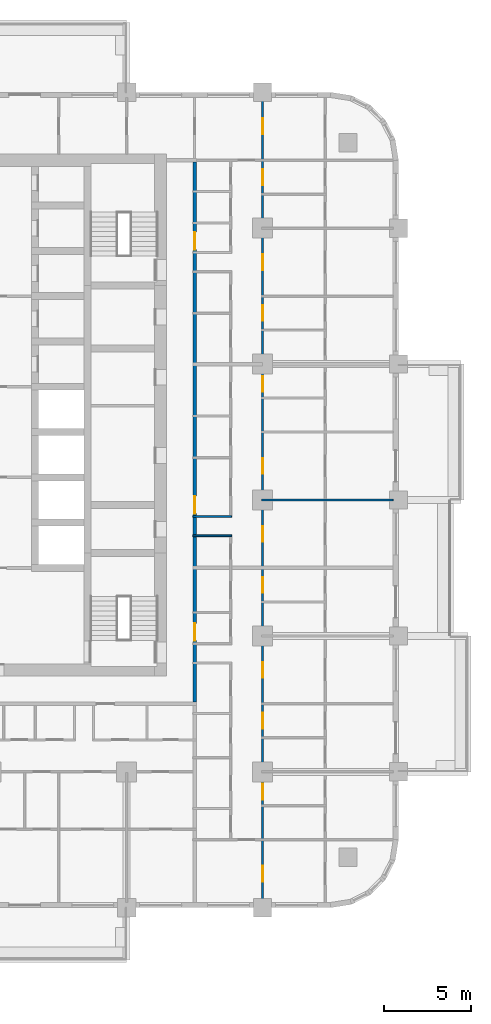
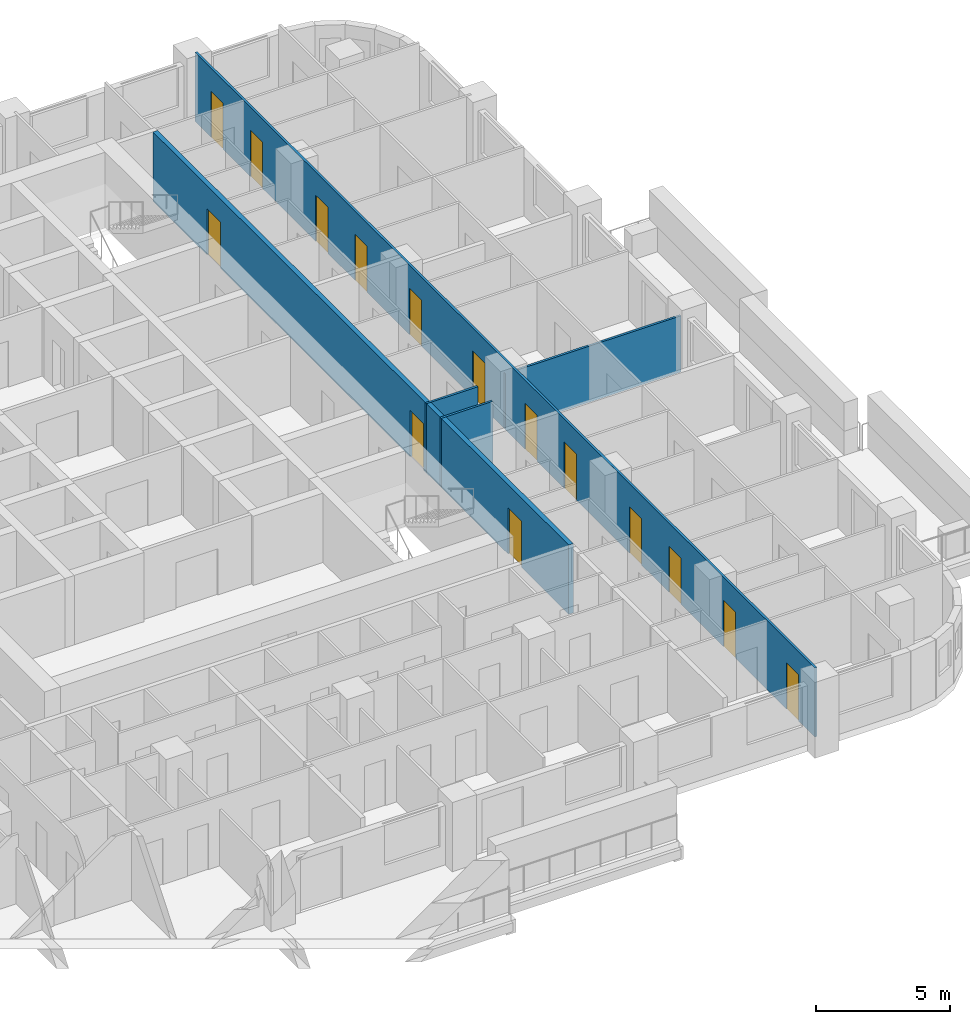
# One storey, part 8 of 17: 15 doors, 5 walls, 15 openings.
"""IFC4 building model written with IfcOpenShell, lengths in metres."""

import ifcopenshell
import ifcopenshell.guid

model = None  # the IFC model being written
_history = None  # IfcOwnerHistory: only IFC2X3 demands one
_inside = {}  # id of a spatial element -> (the spatial element, [elements in it])
_under = {}  # id of a project, library or spatial element -> (it, [spatial elements below it])
_declared = {}  # id of a project -> (the project, [libraries it declares])
_typed = {}  # id of a type object -> (the type object, [elements of that type])
_made_of = {}  # id of a material, layer set ... -> (it, [elements and type objects made of it])


def new_model(schema):
    """Start an empty IFC model of exactly this schema.

    Asked for "IFC4X3", IfcOpenShell would pick the latest addendum, in which some entities
    have other attributes; the version numbers below select the first issue.
    IFC2X3 requires an IfcOwnerHistory on every rooted entity: one is made here for all.
    """
    global model, _history
    if schema == "IFC4X3":
        model = ifcopenshell.file(schema_version=(4, 3, 0, 0))
    else:
        model = ifcopenshell.file(schema=schema)
    _inside.clear()
    _under.clear()
    _declared.clear()
    _typed.clear()
    _made_of.clear()
    _history = None
    if model.schema == "IFC2X3":
        org = make("IfcOrganization", Name="unknown")
        user = make(
            "IfcPersonAndOrganization",
            ThePerson=make("IfcPerson", FamilyName="unknown"),
            TheOrganization=org,
        )
        app = make(
            "IfcApplication",
            ApplicationDeveloper=org,
            Version="unknown",
            ApplicationFullName="unknown",
            ApplicationIdentifier="unknown",
        )
        _history = make(
            "IfcOwnerHistory",
            OwningUser=user,
            OwningApplication=app,
            ChangeAction="ADDED",
            CreationDate=0,
        )
    return model


def make(cls, **values):
    """One entity of the class cls with the attributes given. An attribute that is None is left unset."""
    return model.create_entity(
        cls, **{name: value for name, value in values.items() if value is not None}
    )


def rooted(cls, **values):
    """An entity with a GlobalId (a new one), such as an element, a storey or a relation."""
    return make(cls, GlobalId=ifcopenshell.guid.new(), OwnerHistory=_history, **values)


def si_unit(unit_type, name, prefix=None):
    """IfcSIUnit, for example si_unit("LENGTHUNIT", "METRE", prefix="MILLI")."""
    return make("IfcSIUnit", UnitType=unit_type, Prefix=prefix, Name=name)


def assignment(units):
    """IfcUnitAssignment: the units of a project."""
    return None if units is None else make("IfcUnitAssignment", Units=units)


def point(xyz):
    """IfcCartesianPoint."""
    return None if xyz is None else make("IfcCartesianPoint", Coordinates=xyz)


def direction(xyz):
    """IfcDirection."""
    return None if xyz is None else make("IfcDirection", DirectionRatios=xyz)


def frame(location, z_axis=None, x_axis=None):
    """IfcAxis2Placement3D, a coordinate frame: its origin and axes. An axis left out is left unset."""
    return make(
        "IfcAxis2Placement3D",
        Location=point(location),
        Axis=direction(z_axis),
        RefDirection=direction(x_axis),
    )


def frame_2d(location, x_axis=None):
    """IfcAxis2Placement2D, a coordinate frame in the plane: its origin and x axis."""
    return make(
        "IfcAxis2Placement2D", Location=point(location), RefDirection=direction(x_axis)
    )


def origin():
    """The frame at (0, 0, 0) with its axes left unset."""
    return frame((0.0, 0.0, 0.0))


def place(relative_to, where):
    """IfcLocalPlacement: puts the frame where relative to a parent placement (None: the world)."""
    return make(
        "IfcLocalPlacement", PlacementRelTo=relative_to, RelativePlacement=where
    )


def context(
    kind, dimensions, precision=None, world=None, true_north=None, identifier=None
):
    """IfcGeometricRepresentationContext, for example the 3D "Model" context."""
    return make(
        "IfcGeometricRepresentationContext",
        ContextIdentifier=identifier,
        ContextType=kind,
        CoordinateSpaceDimension=dimensions,
        Precision=precision,
        WorldCoordinateSystem=world,
        TrueNorth=true_north,
    )


def subcontext(parent, identifier, kind, view, scale=None):
    """IfcGeometricRepresentationSubContext, for example "Body" below "Model"."""
    return make(
        "IfcGeometricRepresentationSubContext",
        ContextIdentifier=identifier,
        ContextType=kind,
        ParentContext=parent,
        TargetScale=scale,
        TargetView=view,
    )


def project(units=None, contexts=None):
    """IfcProject with its units and contexts."""
    return rooted(
        "IfcProject",
        Name="project",
        RepresentationContexts=contexts,
        UnitsInContext=assignment(units),
    )


def spatial(cls, under=None, at=None, **own):
    """A site, building, storey or space (cls), placed at a placement, below another one or the project."""
    s = rooted(cls, ObjectPlacement=at, **own)
    if under is not None:
        _under.setdefault(under.id(), (under, []))[1].append(s)
    return s


def profile(cls, at=None, kind="AREA", **sizes):
    """A parametric profile (cls). Its sizes go by their IFC names, for example OverallWidth=200.0."""
    return make(cls, ProfileType=kind, Position=at, **sizes)


def rectangle(**sizes):
    """IfcRectangleProfileDef."""
    return profile("IfcRectangleProfileDef", **sizes)


def extrude(swept, where, along, depth):
    """IfcExtrudedAreaSolid: the profile swept, set in the frame where, extruded along a direction by depth."""
    return make(
        "IfcExtrudedAreaSolid",
        SweptArea=swept,
        Position=where,
        ExtrudedDirection=direction(along),
        Depth=depth,
    )


def shape(context_of_items, identifier, shape_type, items):
    """IfcShapeRepresentation: the items that make up one representation, for example the "Body"."""
    return make(
        "IfcShapeRepresentation",
        ContextOfItems=context_of_items,
        RepresentationIdentifier=identifier,
        RepresentationType=shape_type,
        Items=items,
    )


def material(Name=None, Category=None):
    """IfcMaterial."""
    return make("IfcMaterial", Name=Name, Category=Category)


def layer(
    of_material, thickness, ventilated=None, Name=None, Category=None, Priority=None
):
    """IfcMaterialLayer: one layer of a wall or slab, of a material (None: an air gap)."""
    return make(
        "IfcMaterialLayer",
        Material=of_material,
        LayerThickness=thickness,
        IsVentilated=ventilated,
        Name=Name,
        Category=Category,
        Priority=Priority,
    )


def layer_set(layers, Name=None):
    """IfcMaterialLayerSet."""
    return make("IfcMaterialLayerSet", MaterialLayers=layers, LayerSetName=Name)


def made_of(thing, what):
    """Note that an element or type object is made of a material, layer set ...; save() writes the relation."""
    if what is not None:
        _made_of.setdefault(what.id(), (what, []))[1].append(thing)
    return thing


def type_object(cls, material=None, **own):
    """A type object (cls), such as IfcWallType, which elements share."""
    return made_of(rooted(cls, **own), material)


def element(
    cls,
    number,
    at=None,
    inside=None,
    cuts=None,
    type_object=None,
    material=None,
    context=None,
    identifier="Body",
    shape_type=None,
    held_by="IfcProductDefinitionShape",
    body=None,
    shapes=None,
    **own,
):
    """One element of the class cls, such as IfcWall. Its Tag is "e" and its number.

    at: its placement. inside: the storey or other place that contains it. cuts: it is an
    opening in that element (IfcRelVoidsElement). A single representation is given by context,
    identifier, shape_type and body (its items); several are given by shapes. held_by: the class
    of the entity that holds the representations. save() writes the other relations.
    """
    e = rooted(cls, Tag="e%d" % number, ObjectPlacement=at, **own)
    if body is not None:
        shapes = [shape(context, identifier, shape_type, body)]
    if shapes is not None:
        e.Representation = make(held_by, Representations=shapes)
    if inside is not None:
        _inside.setdefault(inside.id(), (inside, []))[1].append(e)
    if cuts is not None:
        rooted(
            "IfcRelVoidsElement", RelatingBuildingElement=cuts, RelatedOpeningElement=e
        )
    if type_object is not None:
        _typed.setdefault(type_object.id(), (type_object, []))[1].append(e)
    return made_of(e, material)


def fill(opening, filler):
    """IfcRelFillsElement: the door or window that sits in an opening."""
    return rooted(
        "IfcRelFillsElement",
        RelatingOpeningElement=opening,
        RelatedBuildingElement=filler,
    )


def aggregate(whole, parts):
    """IfcRelAggregates: a whole, such as a stair, and the parts it consists of."""
    return rooted("IfcRelAggregates", RelatingObject=whole, RelatedObjects=parts)


def save(model, path):
    """Write the relations noted so far, then the file.

    IfcRelAggregates (storeys below a building ...), IfcRelContainedInSpatialStructure (elements
    in a storey), IfcRelDefinesByType, IfcRelAssociatesMaterial and IfcRelDeclares: one each for
    every whole, place, type object, material and project.
    """
    for whole, parts in _under.values():
        aggregate(whole, parts)
    for where, things in _inside.values():
        rooted(
            "IfcRelContainedInSpatialStructure",
            RelatedElements=things,
            RelatingStructure=where,
        )
    for kind, things in _typed.values():
        rooted("IfcRelDefinesByType", RelatedObjects=things, RelatingType=kind)
    for what, things in _made_of.values():
        rooted("IfcRelAssociatesMaterial", RelatedObjects=things, RelatingMaterial=what)
    for by, libraries in _declared.values():
        rooted("IfcRelDeclares", RelatingContext=by, RelatedDefinitions=libraries)
    model.write(path)


model = new_model("IFC4")

# Units and contexts
model_context = context("Model", 3, precision=1e-05, world=origin(), true_north=direction((0.0, 1.0)))
body_context = subcontext(model_context, "Body", "Model", "MODEL_VIEW")
ifc_project = project(units=[si_unit("LENGTHUNIT", "METRE"), si_unit("AREAUNIT", "SQUARE_METRE"), si_unit("VOLUMEUNIT", "CUBIC_METRE"), si_unit("PLANEANGLEUNIT", "RADIAN"), si_unit("MASSUNIT", "GRAM", prefix="KILO")], contexts=[model_context])

# Site, building, storey
site_placement = place(None, origin())
site = spatial("IfcSite", under=ifc_project, at=site_placement, CompositionType="ELEMENT")
building_placement = place(site_placement, origin())
building = spatial("IfcBuilding", under=site, at=building_placement, Name="Ludao Terraces", CompositionType="ELEMENT")
storey_placement = place(building_placement, frame((0.0, 0.0, 51.199951171875)))
storey = spatial("IfcBuildingStorey", under=building, at=storey_placement, Name="L13", CompositionType="ELEMENT", Elevation=51.199951171875)

# Wall, openings, doors
ifc_material_1 = material(Name="Autoclaved aerated concrete block B06 A3.5", Category="concrete")
ifc_layer_1 = layer(ifc_material_1, 0.199951171875)
ifc_layer_set_1 = layer_set([ifc_layer_1], Name="INT Entrance wall 200")
wall_type_1 = type_object("IfcWallType", Name="INT Entrance wall 200", PredefinedType="PARTITIONING", material=ifc_layer_set_1)
wall_1_placement = place(storey_placement, frame((96.699951171875, 53.400146484375, 0.0), z_axis=(0.0, 0.0, 1.0), x_axis=(0.0, 1.0, 0.0)))
wall_1 = element("IfcWall", 1, at=wall_1_placement, inside=storey, type_object=wall_type_1, Name="PW-L13-PW114", PredefinedType="PARTITIONING", context=body_context, shape_type="SweptSolid", body=[
    extrude(rectangle(XDim=31.0, YDim=0.199951171875, at=frame_2d((15.5, 0.0))), origin(), (0.0, 0.0, 1.0), 3.150146484375),
])
opening_1_placement = place(wall_1_placement, frame((3.52490234375, 0.0, 0.0)))
opening_1 = element("IfcOpeningElement", 2, at=opening_1_placement, cuts=wall_1, Name="Opening R04-061", PredefinedType="OPENING", context=body_context, shape_type="SweptSolid", body=[
    extrude(rectangle(XDim=1.0, YDim=2.10009765625, at=frame_2d((0.5, 1.050048828125))), frame((0.0, 0.10986328125, 0.0), z_axis=(0.0, -1.0, 0.0), x_axis=(1.0, 0.0, 0.0)), (0.0, 0.0, 1.0), 0.219970703125),
])
opening_2_placement = place(wall_1_placement, frame((10.824951171875, 0.0, 0.0)))
opening_2 = element("IfcOpeningElement", 3, at=opening_2_placement, cuts=wall_1, Name="Opening R04-082", PredefinedType="OPENING", context=body_context, shape_type="SweptSolid", body=[
    extrude(rectangle(XDim=1.0, YDim=2.10009765625, at=frame_2d((0.5, 1.050048828125))), frame((0.0, 0.10986328125, 0.0), z_axis=(0.0, -1.0, 0.0), x_axis=(1.0, 0.0, 0.0)), (0.0, 0.0, 1.0), 0.219970703125),
])
opening_3_placement = place(wall_1_placement, frame((25.97509765625, 0.0, 0.0)))
opening_3 = element("IfcOpeningElement", 4, at=opening_3_placement, cuts=wall_1, Name="Opening R04-137", PredefinedType="OPENING", context=body_context, shape_type="SweptSolid", body=[
    extrude(rectangle(XDim=1.0, YDim=2.10009765625, at=frame_2d((0.5, 1.050048828125))), frame((0.0, 0.10986328125, 0.0), z_axis=(0.0, -1.0, 0.0), x_axis=(1.0, 0.0, 0.0)), (0.0, 0.0, 1.0), 0.219970703125),
])
ifc_material_2 = material(Name="Steel Q235", Category="steel")
door_type_1 = type_object("IfcDoorType", Name="INT Flat entrance door 1000", OperationType="SINGLE_SWING_LEFT", PredefinedType="DOOR", material=ifc_material_2)
door_1_placement = place(opening_1_placement, origin())
door_1 = element("IfcDoor", 5, at=door_1_placement, inside=storey, type_object=door_type_1, Name="DOOR 061", OperationType="SINGLE_SWING_LEFT", OverallHeight=2.10009765625, OverallWidth=1.0, PredefinedType="DOOR", context=body_context, shape_type="SweptSolid", body=[
    extrude(rectangle(XDim=1.0, YDim=2.10009765625, at=frame_2d((0.5, 1.050048828125))), frame((0.0, 0.02490234375, 0.0), z_axis=(0.0, -1.0, 0.0), x_axis=(1.0, 0.0, 0.0)), (0.0, 0.0, 1.0), 0.050048828125),
])
fill(opening_1, door_1)
door_2_placement = place(opening_2_placement, origin())
door_2 = element("IfcDoor", 6, at=door_2_placement, inside=storey, type_object=door_type_1, Name="DOOR 082", OperationType="SINGLE_SWING_LEFT", OverallHeight=2.10009765625, OverallWidth=1.0, PredefinedType="DOOR", context=body_context, shape_type="SweptSolid", body=[
    extrude(rectangle(XDim=1.0, YDim=2.10009765625, at=frame_2d((0.5, 1.050048828125))), frame((0.0, 0.02490234375, 0.0), z_axis=(0.0, -1.0, 0.0), x_axis=(1.0, 0.0, 0.0)), (0.0, 0.0, 1.0), 0.050048828125),
])
fill(opening_2, door_2)
door_3_placement = place(opening_3_placement, origin())
door_3 = element("IfcDoor", 7, at=door_3_placement, inside=storey, type_object=door_type_1, Name="DOOR 137", OperationType="SINGLE_SWING_LEFT", OverallHeight=2.10009765625, OverallWidth=1.0, PredefinedType="DOOR", context=body_context, shape_type="SweptSolid", body=[
    extrude(rectangle(XDim=1.0, YDim=2.10009765625, at=frame_2d((0.5, 1.050048828125))), frame((0.0, 0.02490234375, 0.0), z_axis=(0.0, -1.0, 0.0), x_axis=(1.0, 0.0, 0.0)), (0.0, 0.0, 1.0), 0.050048828125),
])
fill(opening_3, door_3)

# Walls
ifc_material_3 = material(Name="Gypsum plasterboard", Category="gypsum")
ifc_layer_2 = layer(ifc_material_3, 0.012451171875, Category="gypsum")
ifc_material_4 = material(Name="Mineral wool")
ifc_layer_3 = layer(ifc_material_4, 0.06005859375, Name="insulation")
ifc_layer_4 = layer(ifc_material_2, 0.014892578125, Name="stud")
ifc_layer_5 = layer(ifc_material_3, 0.012451171875, Category="gypsum")
ifc_layer_set_2 = layer_set([ifc_layer_2, ifc_layer_3, ifc_layer_4, ifc_layer_5], Name="INT Partition 100")
wall_type_2 = type_object("IfcWallType", Name="INT Partition 100", PredefinedType="PARTITIONING", material=ifc_layer_set_2)
for number, where, z_axis, x_axis, name in (
    (8, (96.60009765625, 62.949951171875, 0.0), (0.0, 0.0, 1.0), (1.0, 0.0, 0.0), "PW-L13-PW036"),
    (9, (96.60009765625, 64.050048828125, 0.0), (0.0, 0.0, 1.0), (1.0, 0.0, 0.0), "PW-L13-PW037"),
):
    element("IfcWall", number, at=place(storey_placement, frame(where, z_axis=z_axis, x_axis=x_axis)), inside=storey, type_object=wall_type_2, Name=name, PredefinedType="PARTITIONING", context=body_context, shape_type="SweptSolid", body=[
        extrude(rectangle(XDim=2.219970703125, YDim=0.10009765625, at=frame_2d((1.10986328125, 0.0))), origin(), (0.0, 0.0, 1.0), 3.150146484375),
    ])
wall_2_placement = place(storey_placement, frame((100.550048828125, 65.0, 0.0), z_axis=(0.0, 0.0, 1.0), x_axis=(1.0, 0.0, 0.0)))
element("IfcWall", 10, at=wall_2_placement, inside=storey, type_object=wall_type_2, Name="PW-L13-PW040", PredefinedType="PARTITIONING", context=body_context, shape_type="SweptSolid", body=[
    extrude(rectangle(XDim=7.550048828125, YDim=0.10009765625, at=frame_2d((3.77490234375, 0.0))), origin(), (0.0, 0.0, 1.0), 2.550048828125),
])

# Wall, openings, doors
wall_3_placement = place(storey_placement, frame((100.60009765625, 41.900146484375, 0.0), z_axis=(0.0, 0.0, 1.0), x_axis=(0.0, 1.0, 0.0)))
wall_3 = element("IfcWall", 11, at=wall_3_placement, inside=storey, type_object=wall_type_2, Name="PW-L13-PW120", PredefinedType="PARTITIONING", context=body_context, shape_type="SweptSolid", body=[
    extrude(rectangle(XDim=46.199951171875, YDim=0.10009765625, at=frame_2d((23.10009765625, 0.0))), origin(), (0.0, 0.0, 1.0), 3.150146484375),
])
opening_4_placement = place(wall_3_placement, frame((1.199951171875, 0.0, 0.0)))
opening_4 = element("IfcOpeningElement", 12, at=opening_4_placement, cuts=wall_3, Name="Opening R04-003", PredefinedType="OPENING", context=body_context, shape_type="SweptSolid", body=[
    extrude(rectangle(XDim=0.89990234375, YDim=2.10009765625, at=frame_2d((0.449951171875, 1.050048828125))), frame((0.0, 0.06005859375, 0.0), z_axis=(0.0, -1.0, 0.0), x_axis=(1.0, 0.0, 0.0)), (0.0, 0.0, 1.0), 0.1201171875),
])
opening_5_placement = place(wall_3_placement, frame((5.89990234375, 0.0, 0.0)))
opening_5 = element("IfcOpeningElement", 13, at=opening_5_placement, cuts=wall_3, Name="Opening R04-021", PredefinedType="OPENING", context=body_context, shape_type="SweptSolid", body=[
    extrude(rectangle(XDim=0.89990234375, YDim=2.10009765625, at=frame_2d((0.449951171875, 1.050048828125))), frame((0.0, 0.06005859375, 0.0), z_axis=(0.0, -1.0, 0.0), x_axis=(1.0, 0.0, 0.0)), (0.0, 0.0, 1.0), 0.1201171875),
])
opening_6_placement = place(wall_3_placement, frame((9.97509765625, 0.0, 0.0)))
opening_6 = element("IfcOpeningElement", 14, at=opening_6_placement, cuts=wall_3, Name="Opening R04-047", PredefinedType="OPENING", context=body_context, shape_type="SweptSolid", body=[
    extrude(rectangle(XDim=0.89990234375, YDim=2.10009765625, at=frame_2d((0.449951171875, 1.050048828125))), frame((0.0, 0.06005859375, 0.0), z_axis=(0.0, -1.0, 0.0), x_axis=(1.0, 0.0, 0.0)), (0.0, 0.0, 1.0), 0.1201171875),
])
opening_7_placement = place(wall_3_placement, frame((12.89990234375, 0.0, 0.0)))
opening_7 = element("IfcOpeningElement", 15, at=opening_7_placement, cuts=wall_3, Name="Opening R04-056", PredefinedType="OPENING", context=body_context, shape_type="SweptSolid", body=[
    extrude(rectangle(XDim=0.89990234375, YDim=2.10009765625, at=frame_2d((0.449951171875, 1.050048828125))), frame((0.0, 0.06005859375, 0.0), z_axis=(0.0, -1.0, 0.0), x_axis=(1.0, 0.0, 0.0)), (0.0, 0.0, 1.0), 0.1201171875),
])
opening_8_placement = place(wall_3_placement, frame((17.77490234375, 0.0, 0.0)))
opening_8 = element("IfcOpeningElement", 16, at=opening_8_placement, cuts=wall_3, Name="Opening R04-069", PredefinedType="OPENING", context=body_context, shape_type="SweptSolid", body=[
    extrude(rectangle(XDim=0.89990234375, YDim=2.10009765625, at=frame_2d((0.449951171875, 1.050048828125))), frame((0.0, 0.06005859375, 0.0), z_axis=(0.0, -1.0, 0.0), x_axis=(1.0, 0.0, 0.0)), (0.0, 0.0, 1.0), 0.1201171875),
])
opening_9_placement = place(wall_3_placement, frame((20.699951171875, 0.0, 0.0)))
opening_9 = element("IfcOpeningElement", 17, at=opening_9_placement, cuts=wall_3, Name="Opening R04-079", PredefinedType="OPENING", context=body_context, shape_type="SweptSolid", body=[
    extrude(rectangle(XDim=0.89990234375, YDim=2.10009765625, at=frame_2d((0.449951171875, 1.050048828125))), frame((0.0, 0.06005859375, 0.0), z_axis=(0.0, -1.0, 0.0), x_axis=(1.0, 0.0, 0.0)), (0.0, 0.0, 1.0), 0.1201171875),
])
opening_10_placement = place(wall_3_placement, frame((24.60009765625, 0.0, 0.0)))
opening_10 = element("IfcOpeningElement", 18, at=opening_10_placement, cuts=wall_3, Name="Opening R04-088", PredefinedType="OPENING", context=body_context, shape_type="SweptSolid", body=[
    extrude(rectangle(XDim=0.89990234375, YDim=2.10009765625, at=frame_2d((0.449951171875, 1.050048828125))), frame((0.0, 0.06005859375, 0.0), z_axis=(0.0, -1.0, 0.0), x_axis=(1.0, 0.0, 0.0)), (0.0, 0.0, 1.0), 0.1201171875),
])
opening_11_placement = place(wall_3_placement, frame((29.300048828125, 0.0, 0.0)))
opening_11 = element("IfcOpeningElement", 19, at=opening_11_placement, cuts=wall_3, Name="Opening R04-104", PredefinedType="OPENING", context=body_context, shape_type="SweptSolid", body=[
    extrude(rectangle(XDim=0.89990234375, YDim=2.10009765625, at=frame_2d((0.449951171875, 1.050048828125))), frame((0.0, 0.06005859375, 0.0), z_axis=(0.0, -1.0, 0.0), x_axis=(1.0, 0.0, 0.0)), (0.0, 0.0, 1.0), 0.1201171875),
])
opening_12_placement = place(wall_3_placement, frame((33.375, 0.0, 0.0)))
opening_12 = element("IfcOpeningElement", 20, at=opening_12_placement, cuts=wall_3, Name="Opening R04-122", PredefinedType="OPENING", context=body_context, shape_type="SweptSolid", body=[
    extrude(rectangle(XDim=0.89990234375, YDim=2.10009765625, at=frame_2d((0.449951171875, 1.050048828125))), frame((0.0, 0.06005859375, 0.0), z_axis=(0.0, -1.0, 0.0), x_axis=(1.0, 0.0, 0.0)), (0.0, 0.0, 1.0), 0.1201171875),
])
opening_13_placement = place(wall_3_placement, frame((36.300048828125, 0.0, 0.0)))
opening_13 = element("IfcOpeningElement", 21, at=opening_13_placement, cuts=wall_3, Name="Opening R04-133", PredefinedType="OPENING", context=body_context, shape_type="SweptSolid", body=[
    extrude(rectangle(XDim=0.89990234375, YDim=2.10009765625, at=frame_2d((0.449951171875, 1.050048828125))), frame((0.0, 0.06005859375, 0.0), z_axis=(0.0, -1.0, 0.0), x_axis=(1.0, 0.0, 0.0)), (0.0, 0.0, 1.0), 0.1201171875),
])
opening_14_placement = place(wall_3_placement, frame((41.175048828125, 0.0, 0.0)))
opening_14 = element("IfcOpeningElement", 22, at=opening_14_placement, cuts=wall_3, Name="Opening R04-150", PredefinedType="OPENING", context=body_context, shape_type="SweptSolid", body=[
    extrude(rectangle(XDim=0.89990234375, YDim=2.10009765625, at=frame_2d((0.449951171875, 1.050048828125))), frame((0.0, 0.06005859375, 0.0), z_axis=(0.0, -1.0, 0.0), x_axis=(1.0, 0.0, 0.0)), (0.0, 0.0, 1.0), 0.1201171875),
])
opening_15_placement = place(wall_3_placement, frame((44.10009765625, 0.0, 0.0)))
opening_15 = element("IfcOpeningElement", 23, at=opening_15_placement, cuts=wall_3, Name="Opening R04-163", PredefinedType="OPENING", context=body_context, shape_type="SweptSolid", body=[
    extrude(rectangle(XDim=0.89990234375, YDim=2.10009765625, at=frame_2d((0.449951171875, 1.050048828125))), frame((0.0, 0.06005859375, 0.0), z_axis=(0.0, -1.0, 0.0), x_axis=(1.0, 0.0, 0.0)), (0.0, 0.0, 1.0), 0.1201171875),
])
ifc_material_5 = material(Name="Timber door leaf", Category="wood")
door_type_2 = type_object("IfcDoorType", Name="INT Room door 900", OperationType="SINGLE_SWING_LEFT", PredefinedType="DOOR", material=ifc_material_5)
door_4_placement = place(opening_4_placement, origin())
door_4 = element("IfcDoor", 24, at=door_4_placement, inside=storey, type_object=door_type_2, Name="DOOR 003", OperationType="SINGLE_SWING_RIGHT", OverallHeight=2.10009765625, OverallWidth=0.89990234375, PredefinedType="DOOR", context=body_context, shape_type="SweptSolid", body=[
    extrude(rectangle(XDim=0.89990234375, YDim=2.10009765625, at=frame_2d((0.449951171875, 1.050048828125))), frame((0.0, 0.02490234375, 0.0), z_axis=(0.0, -1.0, 0.0), x_axis=(1.0, 0.0, 0.0)), (0.0, 0.0, 1.0), 0.050048828125),
])
fill(opening_4, door_4)
door_5_placement = place(opening_5_placement, origin())
door_5 = element("IfcDoor", 25, at=door_5_placement, inside=storey, type_object=door_type_2, Name="DOOR 021", OperationType="SINGLE_SWING_RIGHT", OverallHeight=2.10009765625, OverallWidth=0.89990234375, PredefinedType="DOOR", context=body_context, shape_type="SweptSolid", body=[
    extrude(rectangle(XDim=0.89990234375, YDim=2.10009765625, at=frame_2d((0.449951171875, 1.050048828125))), frame((0.0, 0.02490234375, 0.0), z_axis=(0.0, -1.0, 0.0), x_axis=(1.0, 0.0, 0.0)), (0.0, 0.0, 1.0), 0.050048828125),
])
fill(opening_5, door_5)
door_6_placement = place(opening_6_placement, origin())
door_6 = element("IfcDoor", 26, at=door_6_placement, inside=storey, type_object=door_type_2, Name="DOOR 047", OperationType="SINGLE_SWING_LEFT", OverallHeight=2.10009765625, OverallWidth=0.89990234375, PredefinedType="DOOR", context=body_context, shape_type="SweptSolid", body=[
    extrude(rectangle(XDim=0.89990234375, YDim=2.10009765625, at=frame_2d((0.449951171875, 1.050048828125))), frame((0.0, 0.02490234375, 0.0), z_axis=(0.0, -1.0, 0.0), x_axis=(1.0, 0.0, 0.0)), (0.0, 0.0, 1.0), 0.050048828125),
])
fill(opening_6, door_6)
door_7_placement = place(opening_7_placement, origin())
door_7 = element("IfcDoor", 27, at=door_7_placement, inside=storey, type_object=door_type_2, Name="DOOR 056", OperationType="SINGLE_SWING_LEFT", OverallHeight=2.10009765625, OverallWidth=0.89990234375, PredefinedType="DOOR", context=body_context, shape_type="SweptSolid", body=[
    extrude(rectangle(XDim=0.89990234375, YDim=2.10009765625, at=frame_2d((0.449951171875, 1.050048828125))), frame((0.0, 0.02490234375, 0.0), z_axis=(0.0, -1.0, 0.0), x_axis=(1.0, 0.0, 0.0)), (0.0, 0.0, 1.0), 0.050048828125),
])
fill(opening_7, door_7)
door_8_placement = place(opening_8_placement, origin())
door_8 = element("IfcDoor", 28, at=door_8_placement, inside=storey, type_object=door_type_2, Name="DOOR 069", OperationType="SINGLE_SWING_RIGHT", OverallHeight=2.10009765625, OverallWidth=0.89990234375, PredefinedType="DOOR", context=body_context, shape_type="SweptSolid", body=[
    extrude(rectangle(XDim=0.89990234375, YDim=2.10009765625, at=frame_2d((0.449951171875, 1.050048828125))), frame((0.0, 0.02490234375, 0.0), z_axis=(0.0, -1.0, 0.0), x_axis=(1.0, 0.0, 0.0)), (0.0, 0.0, 1.0), 0.050048828125),
])
fill(opening_8, door_8)
door_9_placement = place(opening_9_placement, origin())
door_9 = element("IfcDoor", 29, at=door_9_placement, inside=storey, type_object=door_type_2, Name="DOOR 079", OperationType="SINGLE_SWING_LEFT", OverallHeight=2.10009765625, OverallWidth=0.89990234375, PredefinedType="DOOR", context=body_context, shape_type="SweptSolid", body=[
    extrude(rectangle(XDim=0.89990234375, YDim=2.10009765625, at=frame_2d((0.449951171875, 1.050048828125))), frame((0.0, 0.02490234375, 0.0), z_axis=(0.0, -1.0, 0.0), x_axis=(1.0, 0.0, 0.0)), (0.0, 0.0, 1.0), 0.050048828125),
])
fill(opening_9, door_9)
door_10_placement = place(opening_10_placement, origin())
door_10 = element("IfcDoor", 30, at=door_10_placement, inside=storey, type_object=door_type_2, Name="DOOR 088", OperationType="SINGLE_SWING_RIGHT", OverallHeight=2.10009765625, OverallWidth=0.89990234375, PredefinedType="DOOR", context=body_context, shape_type="SweptSolid", body=[
    extrude(rectangle(XDim=0.89990234375, YDim=2.10009765625, at=frame_2d((0.449951171875, 1.050048828125))), frame((0.0, 0.02490234375, 0.0), z_axis=(0.0, -1.0, 0.0), x_axis=(1.0, 0.0, 0.0)), (0.0, 0.0, 1.0), 0.050048828125),
])
fill(opening_10, door_10)
door_11_placement = place(opening_11_placement, origin())
door_11 = element("IfcDoor", 31, at=door_11_placement, inside=storey, type_object=door_type_2, Name="DOOR 104", OperationType="SINGLE_SWING_RIGHT", OverallHeight=2.10009765625, OverallWidth=0.89990234375, PredefinedType="DOOR", context=body_context, shape_type="SweptSolid", body=[
    extrude(rectangle(XDim=0.89990234375, YDim=2.10009765625, at=frame_2d((0.449951171875, 1.050048828125))), frame((0.0, 0.02490234375, 0.0), z_axis=(0.0, -1.0, 0.0), x_axis=(1.0, 0.0, 0.0)), (0.0, 0.0, 1.0), 0.050048828125),
])
fill(opening_11, door_11)
door_12_placement = place(opening_12_placement, origin())
door_12 = element("IfcDoor", 32, at=door_12_placement, inside=storey, type_object=door_type_2, Name="DOOR 122", OperationType="SINGLE_SWING_RIGHT", OverallHeight=2.10009765625, OverallWidth=0.89990234375, PredefinedType="DOOR", context=body_context, shape_type="SweptSolid", body=[
    extrude(rectangle(XDim=0.89990234375, YDim=2.10009765625, at=frame_2d((0.449951171875, 1.050048828125))), frame((0.0, 0.02490234375, 0.0), z_axis=(0.0, -1.0, 0.0), x_axis=(1.0, 0.0, 0.0)), (0.0, 0.0, 1.0), 0.050048828125),
])
fill(opening_12, door_12)
door_13_placement = place(opening_13_placement, origin())
door_13 = element("IfcDoor", 33, at=door_13_placement, inside=storey, type_object=door_type_2, Name="DOOR 133", OperationType="SINGLE_SWING_LEFT", OverallHeight=2.10009765625, OverallWidth=0.89990234375, PredefinedType="DOOR", context=body_context, shape_type="SweptSolid", body=[
    extrude(rectangle(XDim=0.89990234375, YDim=2.10009765625, at=frame_2d((0.449951171875, 1.050048828125))), frame((0.0, 0.02490234375, 0.0), z_axis=(0.0, -1.0, 0.0), x_axis=(1.0, 0.0, 0.0)), (0.0, 0.0, 1.0), 0.050048828125),
])
fill(opening_13, door_13)
door_14_placement = place(opening_14_placement, origin())
door_14 = element("IfcDoor", 34, at=door_14_placement, inside=storey, type_object=door_type_2, Name="DOOR 150", OperationType="SINGLE_SWING_RIGHT", OverallHeight=2.10009765625, OverallWidth=0.89990234375, PredefinedType="DOOR", context=body_context, shape_type="SweptSolid", body=[
    extrude(rectangle(XDim=0.89990234375, YDim=2.10009765625, at=frame_2d((0.449951171875, 1.050048828125))), frame((0.0, 0.02490234375, 0.0), z_axis=(0.0, -1.0, 0.0), x_axis=(1.0, 0.0, 0.0)), (0.0, 0.0, 1.0), 0.050048828125),
])
fill(opening_14, door_14)
door_15_placement = place(opening_15_placement, origin())
door_15 = element("IfcDoor", 35, at=door_15_placement, inside=storey, type_object=door_type_2, Name="DOOR 163", OperationType="SINGLE_SWING_LEFT", OverallHeight=2.10009765625, OverallWidth=0.89990234375, PredefinedType="DOOR", context=body_context, shape_type="SweptSolid", body=[
    extrude(rectangle(XDim=0.89990234375, YDim=2.10009765625, at=frame_2d((0.449951171875, 1.050048828125))), frame((0.0, 0.02490234375, 0.0), z_axis=(0.0, -1.0, 0.0), x_axis=(1.0, 0.0, 0.0)), (0.0, 0.0, 1.0), 0.050048828125),
])
fill(opening_15, door_15)

save(model, "model.ifc")
